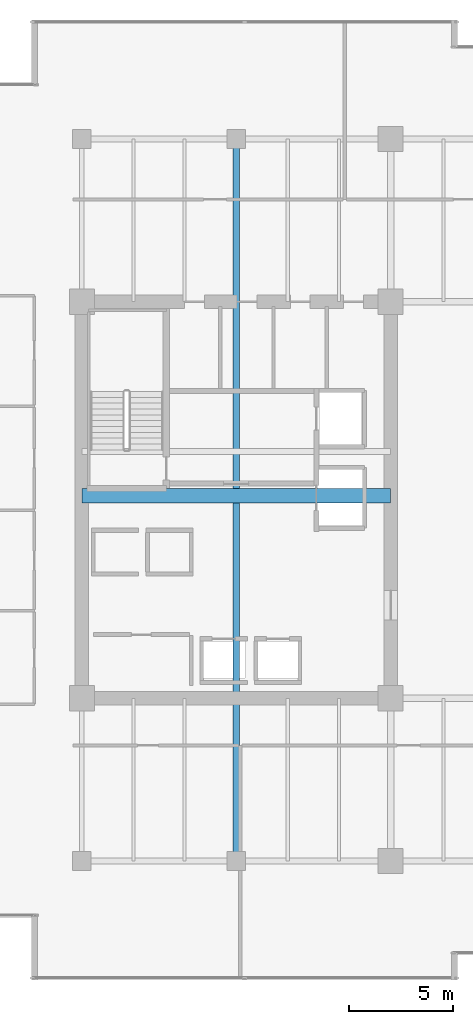
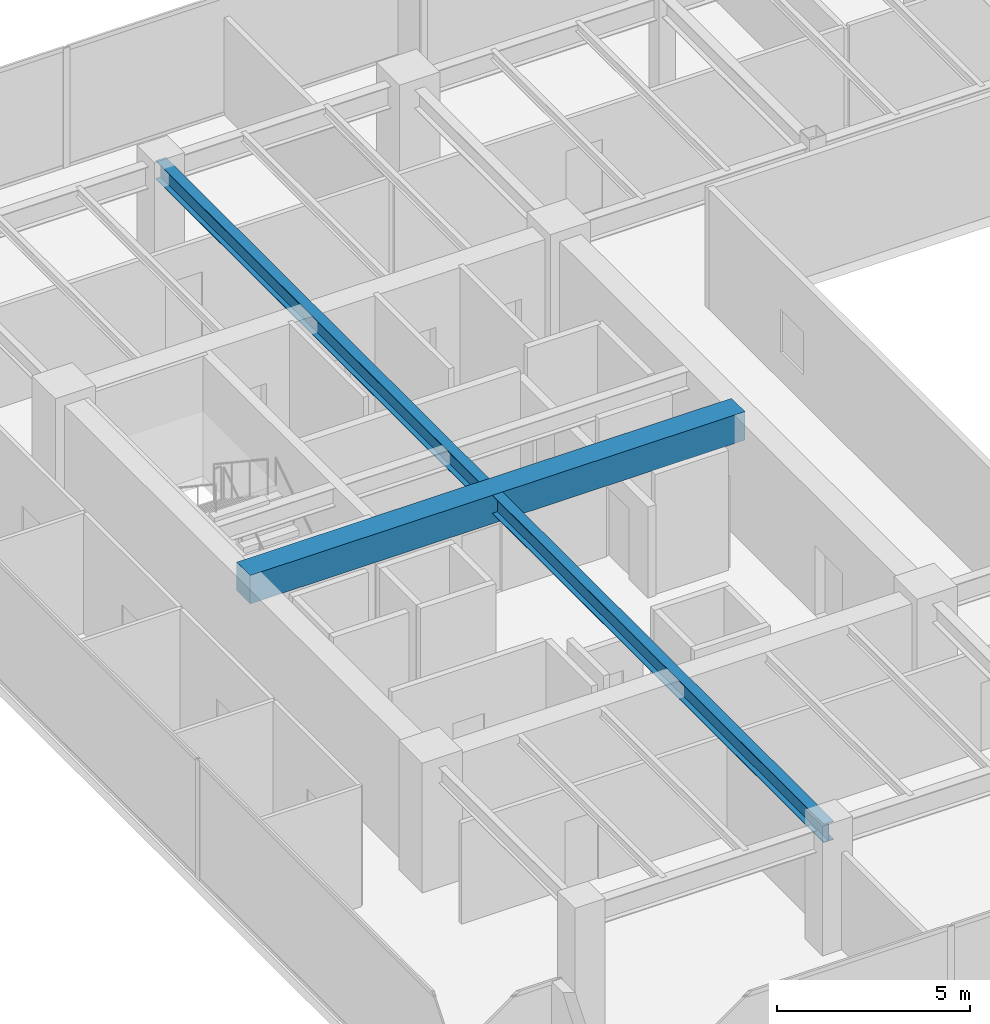
# One storey, part 7 of 31: 2 beams.
"""IFC4 building model written with IfcOpenShell, lengths in metres."""

from ifc_helpers import new_model, si_unit, direction, frame, origin, origin_2d, place, context, subcontext, project, spatial, rectangle, i_section, extrude, source, transform, mapped, material, material_profile, profile_set, type_object, type_shapes, element, save


model = new_model("IFC4")

# Units and contexts
model_context = context("Model", 3, precision=1e-05, world=origin(), true_north=direction((0.0, 1.0)))
body_context = subcontext(model_context, "Body", "Model", "MODEL_VIEW")
ifc_project = project(units=[si_unit("LENGTHUNIT", "METRE"), si_unit("AREAUNIT", "SQUARE_METRE"), si_unit("VOLUMEUNIT", "CUBIC_METRE"), si_unit("PLANEANGLEUNIT", "RADIAN"), si_unit("MASSUNIT", "GRAM", prefix="KILO")], contexts=[model_context])

# Site, building, storey
site_placement = place(None, origin())
site = spatial("IfcSite", under=ifc_project, at=site_placement, CompositionType="ELEMENT")
building_placement = place(site_placement, origin())
building = spatial("IfcBuilding", under=site, at=building_placement, Name="Haelvirn Gate Laboratories", CompositionType="ELEMENT")
storey_placement = place(building_placement, frame((0.0, 0.0, 154.300048828125)))
storey = spatial("IfcBuildingStorey", under=building, at=storey_placement, Name="L37", CompositionType="ELEMENT", Elevation=154.300048828125)

# Beams
ifc_material_1 = material(Name="Concrete C60/75", Category="concrete")
ifc_material_profile_1 = material_profile(ifc_material_1, rectangle(XDim=0.699951171875, YDim=0.89990234375, at=origin_2d()), Name="RCB-700x900")
ifc_profile_set_1 = profile_set([ifc_material_profile_1], Name="Concrete C60/75")
beam_type_1 = type_object("IfcBeamType", Name="BM-RCB-900", PredefinedType="LINTEL", material=ifc_profile_set_1)
shared_shape_1 = source(origin(), body_context, "Body", "SweptSolid", [
    extrude(rectangle(XDim=0.699951171875, YDim=0.89990234375, at=origin_2d()), origin(), (0.0, 0.0, 1.0), 14.800048828125),
])
type_shapes(beam_type_1, [shared_shape_1])
beam_1_placement = place(storey_placement, frame((7.39990234375, 24.5, 3.33984375), z_axis=(1.0, 0.0, 0.0), x_axis=(0.0, 1.0, 0.0)))
element("IfcBeam", 1, at=beam_1_placement, inside=storey, type_object=beam_type_1, Name="L37 West Core Coupling Beam", PredefinedType="LINTEL", context=body_context, shape_type="MappedRepresentation", body=[
    mapped(shared_shape_1, transform((0.0, 0.0, 0.0), scale=1.0)),
])
ifc_material_2 = material(Name="Steel SM355", Category="steel")
ifc_material_profile_2 = material_profile(ifc_material_2, i_section(OverallWidth=0.300048828125, OverallDepth=0.587890625, WebThickness=0.011962890625, FlangeThickness=0.02001953125, at=origin_2d()), Name="H-588x300x12x20")
ifc_profile_set_2 = profile_set([ifc_material_profile_2], Name="Steel SM355")
beam_type_2 = type_object("IfcBeamType", Name="BM-G-588", PredefinedType="BEAM", material=ifc_profile_set_2)
shared_shape_2 = source(origin(), body_context, "Body", "SweptSolid", [
    extrude(i_section(OverallWidth=0.300048828125, OverallDepth=0.587890625, WebThickness=0.011962890625, FlangeThickness=0.02001953125, at=origin_2d()), origin(), (0.0, 0.0, 1.0), 34.60009765625),
])
type_shapes(beam_type_2, [shared_shape_2])
beam_2_placement = place(storey_placement, frame((14.800048828125, 7.0, 3.495849609375), z_axis=(0.0, 1.0, 0.0), x_axis=(-1.0, 0.0, 0.0)))
element("IfcBeam", 2, at=beam_2_placement, inside=storey, type_object=beam_type_2, Name="L37 Frame Girder X14.8 (7.0-41.6)", PredefinedType="BEAM", context=body_context, shape_type="MappedRepresentation", body=[
    mapped(shared_shape_2, transform((0.0, 0.0, 0.0), scale=1.0)),
])

save(model, "model.ifc")
